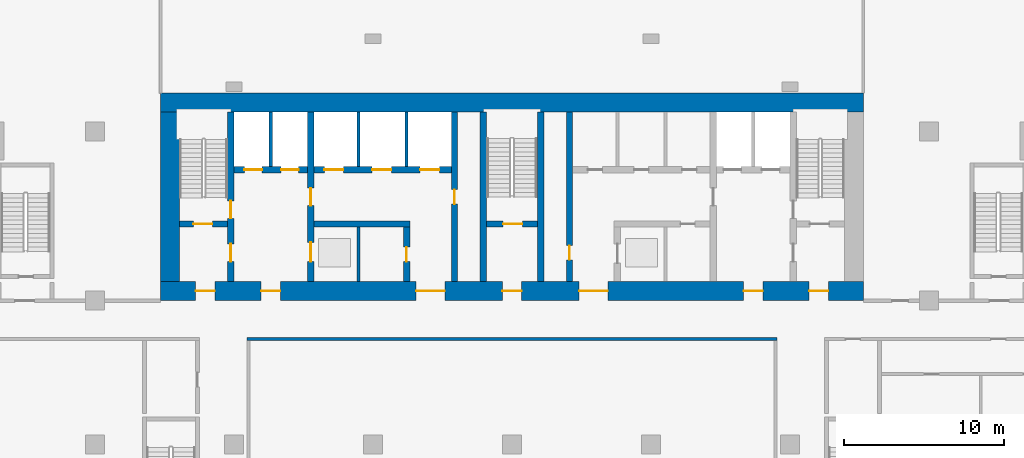
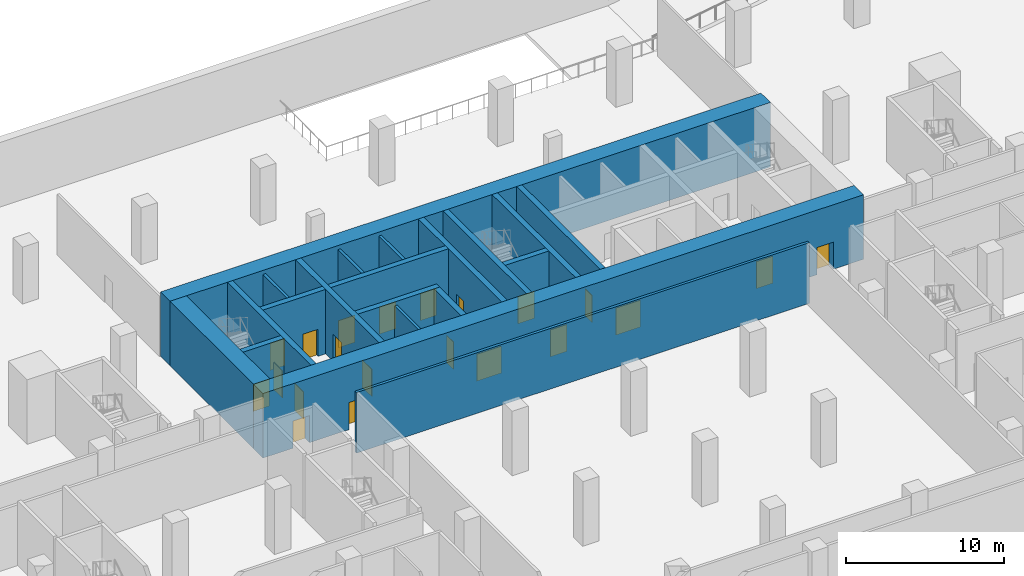
# One storey, part 7 of 16: 21 doors, 19 walls, 21 openings.
"""IFC4 building model written with IfcOpenShell, lengths in metres."""

from ifc_helpers import new_model, si_unit, direction, frame, frame_2d, origin, place, context, subcontext, project, spatial, rectangle, extrude, material, layer, layer_set, type_object, element, fill, save


model = new_model("IFC4")

# Units and contexts
model_context = context("Model", 3, precision=1e-05, world=origin(), true_north=direction((0.0, 1.0)))
body_context = subcontext(model_context, "Body", "Model", "MODEL_VIEW")
ifc_project = project(units=[si_unit("LENGTHUNIT", "METRE"), si_unit("AREAUNIT", "SQUARE_METRE"), si_unit("VOLUMEUNIT", "CUBIC_METRE"), si_unit("PLANEANGLEUNIT", "RADIAN"), si_unit("MASSUNIT", "GRAM", prefix="KILO")], contexts=[model_context])

# Site, building, storey
site_placement = place(None, origin())
site = spatial("IfcSite", under=ifc_project, at=site_placement, CompositionType="ELEMENT")
building_placement = place(site_placement, origin())
building = spatial("IfcBuilding", under=site, at=building_placement, Name="Bicima Exchange Tower", CompositionType="ELEMENT")
storey_placement = place(building_placement, frame((0.0, 0.0, -5.0)))
storey = spatial("IfcBuildingStorey", under=building, at=storey_placement, Name="B1", CompositionType="ELEMENT", Elevation=-5.0)

# Walls
ifc_material_1 = material(Name="Gypsum board partition")
ifc_layer_1 = layer(ifc_material_1, 0.199951171875)
ifc_layer_set_1 = layer_set([ifc_layer_1], Name="Gypsum board partition")
wall_type_1 = type_object("IfcWallType", Name="Fire-rated gypsum partition 200 EI120", PredefinedType="PARTITIONING", material=ifc_layer_set_1)
for number, where, z_axis, x_axis, name in (
    (1, (-15.10009765625, -4.60009765625, 0.0), (0.0, 0.0, 1.0), (0.0, 1.0, 0.0), "partition wall 9"),
    (2, (-9.60009765625, -11.800048828125, 0.0), (0.0, 0.0, 1.0), (0.0, 1.0, 0.0), "partition wall 11"),
    (3, (-9.60009765625, -4.60009765625, 0.0), (0.0, 0.0, 1.0), (0.0, 1.0, 0.0), "partition wall 12"),
    (4, (-6.60009765625, -4.60009765625, 0.0), (0.0, 0.0, 1.0), (0.0, 1.0, 0.0), "partition wall 14"),
):
    element("IfcWall", number, at=place(storey_placement, frame(where, z_axis=z_axis, x_axis=x_axis)), inside=storey, type_object=wall_type_1, Name=name, PredefinedType="PARTITIONING", context=body_context, shape_type="SweptSolid", body=[
        extrude(rectangle(XDim=3.400146484375, YDim=0.199951171875, at=frame_2d((1.7001953125, 0.0))), origin(), (0.0, 0.0, 1.0), 4.699951171875),
    ])
ifc_layer_2 = layer(ifc_material_1, 0.199951171875)
ifc_layer_set_2 = layer_set([ifc_layer_2], Name="Gypsum board partition")
wall_type_2 = type_object("IfcWallType", Name="Fire-rated gypsum partition 200 EI60", PredefinedType="PARTITIONING", material=ifc_layer_set_2)
wall_1_placement = place(storey_placement, frame((-16.60009765625, -15.39990234375, 0.0), z_axis=(0.0, 0.0, 1.0), x_axis=(1.0, 0.0, 0.0)))
element("IfcWall", 5, at=wall_1_placement, inside=storey, type_object=wall_type_2, Name="partition wall 19", PredefinedType="PARTITIONING", context=body_context, shape_type="SweptSolid", body=[
    extrude(rectangle(XDim=33.2001953125, YDim=0.199951171875, at=frame_2d((16.60009765625, 0.0))), origin(), (0.0, 0.0, 1.0), 4.699951171875),
])
ifc_material_2 = material(Name="Concrete C60/75", Category="concrete")
ifc_layer_3 = layer(ifc_material_2, 1.199951171875)
ifc_layer_set_3 = layer_set([ifc_layer_3], Name="Concrete C60/75")
wall_type_3 = type_object("IfcWallType", Name="RC core wall 1200 C60/75", PredefinedType="SHEAR", material=ifc_layer_set_3)
wall_2_placement = place(storey_placement, frame((-22.0, -0.60009765625, 0.0), z_axis=(0.0, 0.0, 1.0), x_axis=(1.0, 0.0, 0.0)))
element("IfcWall", 6, at=wall_2_placement, inside=storey, type_object=wall_type_3, Name="Core wall north", PredefinedType="SHEAR", context=body_context, shape_type="SweptSolid", body=[
    extrude(rectangle(XDim=44.0, YDim=1.199951171875, at=frame_2d((22.0, 0.0))), origin(), (0.0, 0.0, 1.0), 5.0),
])

# Wall, openings, doors
wall_3_placement = place(storey_placement, frame((-22.0, -12.39990234375, 0.0), z_axis=(0.0, 0.0, 1.0), x_axis=(1.0, 0.0, 0.0)))
wall_3 = element("IfcWall", 7, at=wall_3_placement, inside=storey, type_object=wall_type_3, Name="Core wall south", PredefinedType="SHEAR", context=body_context, shape_type="SweptSolid", body=[
    extrude(rectangle(XDim=44.0, YDim=1.199951171875, at=frame_2d((22.0, 0.0))), origin(), (0.0, 0.0, 1.0), 5.0),
])
opening_1_placement = place(wall_3_placement, frame((2.199951171875, 0.0, 0.0)))
opening_1 = element("IfcOpeningElement", 8, at=opening_1_placement, cuts=wall_3, Name="Opening B1-C17", PredefinedType="OPENING", context=body_context, shape_type="SweptSolid", body=[
    extrude(rectangle(XDim=1.199951171875, YDim=2.10009765625, at=frame_2d((0.60009765625, 1.050048828125))), frame((0.0, 0.61181640625, 0.0), z_axis=(0.0, -1.0, 0.0), x_axis=(1.0, 0.0, 0.0)), (0.0, 0.0, 1.0), 1.223876953125),
])
opening_2_placement = place(wall_3_placement, frame((21.39990234375, 0.0, 0.0)))
opening_2 = element("IfcOpeningElement", 9, at=opening_2_placement, cuts=wall_3, Name="Opening B1-C18", PredefinedType="OPENING", context=body_context, shape_type="SweptSolid", body=[
    extrude(rectangle(XDim=1.199951171875, YDim=2.10009765625, at=frame_2d((0.60009765625, 1.050048828125))), frame((0.0, 0.61181640625, 0.0), z_axis=(0.0, -1.0, 0.0), x_axis=(1.0, 0.0, 0.0)), (0.0, 0.0, 1.0), 1.223876953125),
])
opening_3_placement = place(wall_3_placement, frame((40.60009765625, 0.0, 0.0)))
opening_3 = element("IfcOpeningElement", 10, at=opening_3_placement, cuts=wall_3, Name="Opening B1-C19", PredefinedType="OPENING", context=body_context, shape_type="SweptSolid", body=[
    extrude(rectangle(XDim=1.199951171875, YDim=2.10009765625, at=frame_2d((0.60009765625, 1.050048828125))), frame((0.0, 0.61181640625, 0.0), z_axis=(0.0, -1.0, 0.0), x_axis=(1.0, 0.0, 0.0)), (0.0, 0.0, 1.0), 1.223876953125),
])
opening_4_placement = place(wall_3_placement, frame((16.0, 0.0, 0.0)))
opening_4 = element("IfcOpeningElement", 11, at=opening_4_placement, cuts=wall_3, Name="Opening B1-C20", PredefinedType="OPENING", context=body_context, shape_type="SweptSolid", body=[
    extrude(rectangle(XDim=1.800048828125, YDim=2.10009765625, at=frame_2d((0.89990234375, 1.050048828125))), frame((0.0, 0.61181640625, 0.0), z_axis=(0.0, -1.0, 0.0), x_axis=(1.0, 0.0, 0.0)), (0.0, 0.0, 1.0), 1.223876953125),
])
opening_5_placement = place(wall_3_placement, frame((6.300048828125, 0.0, 0.0)))
opening_5 = element("IfcOpeningElement", 12, at=opening_5_placement, cuts=wall_3, Name="Opening B1-C21", PredefinedType="OPENING", context=body_context, shape_type="SweptSolid", body=[
    extrude(rectangle(XDim=1.199951171875, YDim=2.10009765625, at=frame_2d((0.60009765625, 1.050048828125))), frame((0.0, 0.61181640625, 0.0), z_axis=(0.0, -1.0, 0.0), x_axis=(1.0, 0.0, 0.0)), (0.0, 0.0, 1.0), 1.223876953125),
])
opening_6_placement = place(wall_3_placement, frame((26.199951171875, 0.0, 0.0)))
opening_6 = element("IfcOpeningElement", 13, at=opening_6_placement, cuts=wall_3, Name="Opening B1-C22", PredefinedType="OPENING", context=body_context, shape_type="SweptSolid", body=[
    extrude(rectangle(XDim=1.800048828125, YDim=2.10009765625, at=frame_2d((0.89990234375, 1.050048828125))), frame((0.0, 0.61181640625, 0.0), z_axis=(0.0, -1.0, 0.0), x_axis=(1.0, 0.0, 0.0)), (0.0, 0.0, 1.0), 1.223876953125),
])
opening_7_placement = place(wall_3_placement, frame((36.5, 0.0, 0.0)))
opening_7 = element("IfcOpeningElement", 14, at=opening_7_placement, cuts=wall_3, Name="Opening B1-C23", PredefinedType="OPENING", context=body_context, shape_type="SweptSolid", body=[
    extrude(rectangle(XDim=1.199951171875, YDim=2.10009765625, at=frame_2d((0.60009765625, 1.050048828125))), frame((0.0, 0.61181640625, 0.0), z_axis=(0.0, -1.0, 0.0), x_axis=(1.0, 0.0, 0.0)), (0.0, 0.0, 1.0), 1.223876953125),
])
ifc_material_3 = material(Name="Steel fire door leaf", Category="steel")
door_type_1 = type_object("IfcDoorType", Name="Door 1200 swing FD60S", OperationType="SINGLE_SWING_LEFT", PredefinedType="DOOR", material=ifc_material_3)
door_1_placement = place(opening_1_placement, frame((1.199951171875, 0.0, 0.0), z_axis=(0.0, 0.0, 1.0), x_axis=(-1.0, 0.0, 0.0)))
door_1 = element("IfcDoor", 15, at=door_1_placement, inside=storey, type_object=door_type_1, Name="Core door", OperationType="SINGLE_SWING_RIGHT", OverallHeight=2.10009765625, OverallWidth=1.199951171875, PredefinedType="DOOR", context=body_context, shape_type="SweptSolid", body=[
    extrude(rectangle(XDim=1.199951171875, YDim=2.10009765625, at=frame_2d((0.60009765625, 1.050048828125))), frame((0.0, 0.02490234375, 0.0), z_axis=(0.0, -1.0, 0.0), x_axis=(1.0, 0.0, 0.0)), (0.0, 0.0, 1.0), 0.050048828125),
])
fill(opening_1, door_1)
door_2_placement = place(opening_2_placement, frame((1.199951171875, 0.0, 0.0), z_axis=(0.0, 0.0, 1.0), x_axis=(-1.0, 0.0, 0.0)))
door_2 = element("IfcDoor", 16, at=door_2_placement, inside=storey, type_object=door_type_1, Name="Core door", OperationType="SINGLE_SWING_RIGHT", OverallHeight=2.10009765625, OverallWidth=1.199951171875, PredefinedType="DOOR", context=body_context, shape_type="SweptSolid", body=[
    extrude(rectangle(XDim=1.199951171875, YDim=2.10009765625, at=frame_2d((0.60009765625, 1.050048828125))), frame((0.0, 0.02490234375, 0.0), z_axis=(0.0, -1.0, 0.0), x_axis=(1.0, 0.0, 0.0)), (0.0, 0.0, 1.0), 0.050048828125),
])
fill(opening_2, door_2)
door_3_placement = place(opening_3_placement, frame((1.199951171875, 0.0, 0.0), z_axis=(0.0, 0.0, 1.0), x_axis=(-1.0, 0.0, 0.0)))
door_3 = element("IfcDoor", 17, at=door_3_placement, inside=storey, type_object=door_type_1, Name="Core door", OperationType="SINGLE_SWING_RIGHT", OverallHeight=2.10009765625, OverallWidth=1.199951171875, PredefinedType="DOOR", context=body_context, shape_type="SweptSolid", body=[
    extrude(rectangle(XDim=1.199951171875, YDim=2.10009765625, at=frame_2d((0.60009765625, 1.050048828125))), frame((0.0, 0.02490234375, 0.0), z_axis=(0.0, -1.0, 0.0), x_axis=(1.0, 0.0, 0.0)), (0.0, 0.0, 1.0), 0.050048828125),
])
fill(opening_3, door_3)
door_4_placement = place(opening_5_placement, frame((1.199951171875, 0.0, 0.0), z_axis=(0.0, 0.0, 1.0), x_axis=(-1.0, 0.0, 0.0)))
door_4 = element("IfcDoor", 18, at=door_4_placement, inside=storey, type_object=door_type_1, Name="Core door", OperationType="SINGLE_SWING_RIGHT", OverallHeight=2.10009765625, OverallWidth=1.199951171875, PredefinedType="DOOR", context=body_context, shape_type="SweptSolid", body=[
    extrude(rectangle(XDim=1.199951171875, YDim=2.10009765625, at=frame_2d((0.60009765625, 1.050048828125))), frame((0.0, 0.02490234375, 0.0), z_axis=(0.0, -1.0, 0.0), x_axis=(1.0, 0.0, 0.0)), (0.0, 0.0, 1.0), 0.050048828125),
])
fill(opening_5, door_4)
door_5_placement = place(opening_7_placement, frame((1.199951171875, 0.0, 0.0), z_axis=(0.0, 0.0, 1.0), x_axis=(-1.0, 0.0, 0.0)))
door_5 = element("IfcDoor", 19, at=door_5_placement, inside=storey, type_object=door_type_1, Name="Core door", OperationType="SINGLE_SWING_RIGHT", OverallHeight=2.10009765625, OverallWidth=1.199951171875, PredefinedType="DOOR", context=body_context, shape_type="SweptSolid", body=[
    extrude(rectangle(XDim=1.199951171875, YDim=2.10009765625, at=frame_2d((0.60009765625, 1.050048828125))), frame((0.0, 0.02490234375, 0.0), z_axis=(0.0, -1.0, 0.0), x_axis=(1.0, 0.0, 0.0)), (0.0, 0.0, 1.0), 0.050048828125),
])
fill(opening_7, door_5)
door_type_2 = type_object("IfcDoorType", Name="Door 1800 double swing FD30S", OperationType="DOUBLE_DOOR_SINGLE_SWING", PredefinedType="DOOR", material=ifc_material_3)
door_6_placement = place(opening_4_placement, origin())
door_6 = element("IfcDoor", 20, at=door_6_placement, inside=storey, type_object=door_type_2, Name="Core door", OperationType="SINGLE_SWING_LEFT", OverallHeight=2.10009765625, OverallWidth=1.800048828125, PredefinedType="DOOR", context=body_context, shape_type="SweptSolid", body=[
    extrude(rectangle(XDim=1.800048828125, YDim=2.10009765625, at=frame_2d((0.89990234375, 1.050048828125))), frame((0.0, 0.02490234375, 0.0), z_axis=(0.0, -1.0, 0.0), x_axis=(1.0, 0.0, 0.0)), (0.0, 0.0, 1.0), 0.050048828125),
])
fill(opening_4, door_6)
door_7_placement = place(opening_6_placement, origin())
door_7 = element("IfcDoor", 21, at=door_7_placement, inside=storey, type_object=door_type_2, Name="Core door", OperationType="SINGLE_SWING_LEFT", OverallHeight=2.10009765625, OverallWidth=1.800048828125, PredefinedType="DOOR", context=body_context, shape_type="SweptSolid", body=[
    extrude(rectangle(XDim=1.800048828125, YDim=2.10009765625, at=frame_2d((0.89990234375, 1.050048828125))), frame((0.0, 0.02490234375, 0.0), z_axis=(0.0, -1.0, 0.0), x_axis=(1.0, 0.0, 0.0)), (0.0, 0.0, 1.0), 0.050048828125),
])
fill(opening_6, door_7)

# Wall
wall_4_placement = place(storey_placement, frame((-21.39990234375, -11.800048828125, 0.0), z_axis=(0.0, 0.0, 1.0), x_axis=(0.0, 1.0, 0.0)))
element("IfcWall", 22, at=wall_4_placement, inside=storey, type_object=wall_type_3, Name="Core wall west", PredefinedType="SHEAR", context=body_context, shape_type="SweptSolid", body=[
    extrude(rectangle(XDim=10.60009765625, YDim=1.199951171875, at=frame_2d((5.300048828125, 0.0))), origin(), (0.0, 0.0, 1.0), 5.0),
])

# Wall, opening, door
ifc_material_4 = material(Name="Concrete C50/60", Category="concrete")
ifc_layer_4 = layer(ifc_material_4, 0.39990234375)
ifc_layer_set_4 = layer_set([ifc_layer_4], Name="Concrete C50/60")
wall_type_4 = type_object("IfcWallType", Name="RC core wall 400 C50/60", PredefinedType="SHEAR", material=ifc_layer_set_4)
wall_5_placement = place(storey_placement, frame((-20.800048828125, -8.199951171875, 0.0), z_axis=(0.0, 0.0, 1.0), x_axis=(1.0, 0.0, 0.0)))
wall_5 = element("IfcWall", 23, at=wall_5_placement, inside=storey, type_object=wall_type_4, Name="stair wall 1", PredefinedType="SHEAR", context=body_context, shape_type="SweptSolid", body=[
    extrude(rectangle(XDim=3.0, YDim=0.39990234375, at=frame_2d((1.5, 0.0))), origin(), (0.0, 0.0, 1.0), 5.0),
])
opening_8_placement = place(wall_5_placement, frame((0.85009765625, 0.0, 0.0)))
opening_8 = element("IfcOpeningElement", 24, at=opening_8_placement, cuts=wall_5, Name="Opening B1-C01", PredefinedType="OPENING", context=body_context, shape_type="SweptSolid", body=[
    extrude(rectangle(XDim=1.199951171875, YDim=2.10009765625, at=frame_2d((0.60009765625, 1.050048828125))), frame((0.0, 0.2119140625, 0.0), z_axis=(0.0, -1.0, 0.0), x_axis=(1.0, 0.0, 0.0)), (0.0, 0.0, 1.0), 0.423828125),
])
door_8_placement = place(opening_8_placement, origin())
door_8 = element("IfcDoor", 25, at=door_8_placement, inside=storey, type_object=door_type_1, Name="Core door", OperationType="SINGLE_SWING_LEFT", OverallHeight=2.10009765625, OverallWidth=1.199951171875, PredefinedType="DOOR", context=body_context, shape_type="SweptSolid", body=[
    extrude(rectangle(XDim=1.199951171875, YDim=2.10009765625, at=frame_2d((0.60009765625, 1.050048828125))), frame((0.0, 0.02490234375, 0.0), z_axis=(0.0, -1.0, 0.0), x_axis=(1.0, 0.0, 0.0)), (0.0, 0.0, 1.0), 0.050048828125),
])
fill(opening_8, door_8)

wall_6_placement = place(storey_placement, frame((-1.60009765625, -8.199951171875, 0.0), z_axis=(0.0, 0.0, 1.0), x_axis=(1.0, 0.0, 0.0)))
wall_6 = element("IfcWall", 26, at=wall_6_placement, inside=storey, type_object=wall_type_4, Name="stair wall 3", PredefinedType="SHEAR", context=body_context, shape_type="SweptSolid", body=[
    extrude(rectangle(XDim=3.2001953125, YDim=0.39990234375, at=frame_2d((1.60009765625, 0.0))), origin(), (0.0, 0.0, 1.0), 5.0),
])
opening_9_placement = place(wall_6_placement, frame((1.050048828125, 0.0, 0.0)))
opening_9 = element("IfcOpeningElement", 27, at=opening_9_placement, cuts=wall_6, Name="Opening B1-C03", PredefinedType="OPENING", context=body_context, shape_type="SweptSolid", body=[
    extrude(rectangle(XDim=1.199951171875, YDim=2.10009765625, at=frame_2d((0.60009765625, 1.050048828125))), frame((0.0, 0.2119140625, 0.0), z_axis=(0.0, -1.0, 0.0), x_axis=(1.0, 0.0, 0.0)), (0.0, 0.0, 1.0), 0.423828125),
])
door_9_placement = place(opening_9_placement, origin())
door_9 = element("IfcDoor", 28, at=door_9_placement, inside=storey, type_object=door_type_1, Name="Core door", OperationType="SINGLE_SWING_LEFT", OverallHeight=2.10009765625, OverallWidth=1.199951171875, PredefinedType="DOOR", context=body_context, shape_type="SweptSolid", body=[
    extrude(rectangle(XDim=1.199951171875, YDim=2.10009765625, at=frame_2d((0.60009765625, 1.050048828125))), frame((0.0, 0.02490234375, 0.0), z_axis=(0.0, -1.0, 0.0), x_axis=(1.0, 0.0, 0.0)), (0.0, 0.0, 1.0), 0.050048828125),
])
fill(opening_9, door_9)

# Wall, openings, doors
wall_7_placement = place(storey_placement, frame((-17.60009765625, -11.800048828125, 0.0), z_axis=(0.0, 0.0, 1.0), x_axis=(0.0, 1.0, 0.0)))
wall_7 = element("IfcWall", 29, at=wall_7_placement, inside=storey, type_object=wall_type_4, Name="stair wall 8", PredefinedType="SHEAR", context=body_context, shape_type="SweptSolid", body=[
    extrude(rectangle(XDim=10.60009765625, YDim=0.39990234375, at=frame_2d((5.300048828125, 0.0))), origin(), (0.0, 0.0, 1.0), 5.0),
])
opening_10_placement = place(wall_7_placement, frame((1.25, 0.0, 0.0)))
opening_10 = element("IfcOpeningElement", 30, at=opening_10_placement, cuts=wall_7, Name="Opening B1-C02", PredefinedType="OPENING", context=body_context, shape_type="SweptSolid", body=[
    extrude(rectangle(XDim=1.10009765625, YDim=2.10009765625, at=frame_2d((0.550048828125, 1.050048828125))), frame((0.0, 0.2119140625, 0.0), z_axis=(0.0, -1.0, 0.0), x_axis=(1.0, 0.0, 0.0)), (0.0, 0.0, 1.0), 0.423828125),
])
opening_11_placement = place(wall_7_placement, frame((3.949951171875, 0.0, 0.0)))
opening_11 = element("IfcOpeningElement", 31, at=opening_11_placement, cuts=wall_7, Name="Opening B1-C06", PredefinedType="OPENING", context=body_context, shape_type="SweptSolid", body=[
    extrude(rectangle(XDim=1.10009765625, YDim=2.10009765625, at=frame_2d((0.550048828125, 1.050048828125))), frame((0.0, 0.2119140625, 0.0), z_axis=(0.0, -1.0, 0.0), x_axis=(1.0, 0.0, 0.0)), (0.0, 0.0, 1.0), 0.423828125),
])
door_type_3 = type_object("IfcDoorType", Name="Door 1100 swing FD60S", OperationType="SINGLE_SWING_LEFT", PredefinedType="DOOR", material=ifc_material_3)
door_10_placement = place(opening_10_placement, frame((1.10009765625, 0.0, 0.0), z_axis=(0.0, 0.0, 1.0), x_axis=(-1.0, 0.0, 0.0)))
door_10 = element("IfcDoor", 32, at=door_10_placement, inside=storey, type_object=door_type_3, Name="Core door", OperationType="SINGLE_SWING_LEFT", OverallHeight=2.10009765625, OverallWidth=1.10009765625, PredefinedType="DOOR", context=body_context, shape_type="SweptSolid", body=[
    extrude(rectangle(XDim=1.10009765625, YDim=2.10009765625, at=frame_2d((0.550048828125, 1.050048828125))), frame((0.0, 0.02490234375, 0.0), z_axis=(0.0, -1.0, 0.0), x_axis=(1.0, 0.0, 0.0)), (0.0, 0.0, 1.0), 0.050048828125),
])
fill(opening_10, door_10)
door_11_placement = place(opening_11_placement, frame((1.10009765625, 0.0, 0.0), z_axis=(0.0, 0.0, 1.0), x_axis=(-1.0, 0.0, 0.0)))
door_11 = element("IfcDoor", 33, at=door_11_placement, inside=storey, type_object=door_type_3, Name="Core door", OperationType="SINGLE_SWING_LEFT", OverallHeight=2.10009765625, OverallWidth=1.10009765625, PredefinedType="DOOR", context=body_context, shape_type="SweptSolid", body=[
    extrude(rectangle(XDim=1.10009765625, YDim=2.10009765625, at=frame_2d((0.550048828125, 1.050048828125))), frame((0.0, 0.02490234375, 0.0), z_axis=(0.0, -1.0, 0.0), x_axis=(1.0, 0.0, 0.0)), (0.0, 0.0, 1.0), 0.050048828125),
])
fill(opening_11, door_11)

# Walls
for number, where, z_axis, x_axis, name in (
    (34, (-1.800048828125, -11.800048828125, 0.0), (0.0, 0.0, 1.0), (0.0, 1.0, 0.0), "stair wall 16"),
    (35, (1.800048828125, -11.800048828125, 0.0), (0.0, 0.0, 1.0), (0.0, 1.0, 0.0), "stair wall 17"),
):
    element("IfcWall", number, at=place(storey_placement, frame(where, z_axis=z_axis, x_axis=x_axis)), inside=storey, type_object=wall_type_4, Name=name, PredefinedType="SHEAR", context=body_context, shape_type="SweptSolid", body=[
        extrude(rectangle(XDim=10.60009765625, YDim=0.39990234375, at=frame_2d((5.300048828125, 0.0))), origin(), (0.0, 0.0, 1.0), 5.0),
    ])
ifc_layer_5 = layer(ifc_material_2, 0.39990234375)
ifc_layer_set_5 = layer_set([ifc_layer_5], Name="Concrete C60/75")
wall_type_5 = type_object("IfcWallType", Name="RC core wall 400 C60/75", PredefinedType="SHEAR", material=ifc_layer_set_5)
wall_8_placement = place(storey_placement, frame((-12.39990234375, -8.199951171875, 0.0), z_axis=(0.0, 0.0, 1.0), x_axis=(1.0, 0.0, 0.0)))
element("IfcWall", 36, at=wall_8_placement, inside=storey, type_object=wall_type_5, Name="shear wall 2", PredefinedType="SHEAR", context=body_context, shape_type="SweptSolid", body=[
    extrude(rectangle(XDim=6.0, YDim=0.39990234375, at=frame_2d((3.0, 0.0))), origin(), (0.0, 0.0, 1.0), 5.0),
])

# Wall, openings, doors
wall_9_placement = place(storey_placement, frame((-17.39990234375, -4.800048828125, 0.0), z_axis=(0.0, 0.0, 1.0), x_axis=(1.0, 0.0, 0.0)))
wall_9 = element("IfcWall", 37, at=wall_9_placement, inside=storey, type_object=wall_type_5, Name="shear wall 6", PredefinedType="SHEAR", context=body_context, shape_type="SweptSolid", body=[
    extrude(rectangle(XDim=13.599853515625, YDim=0.39990234375, at=frame_2d((6.7998046875, 0.0))), origin(), (0.0, 0.0, 1.0), 5.0),
])
opening_12_placement = place(wall_9_placement, frame((0.64990234375, 0.0, 0.0)))
opening_12 = element("IfcOpeningElement", 38, at=opening_12_placement, cuts=wall_9, Name="Opening LD-FF1-B1", PredefinedType="OPENING", context=body_context, shape_type="SweptSolid", body=[
    extrude(rectangle(XDim=1.10009765625, YDim=2.10009765625, at=frame_2d((0.550048828125, 1.050048828125))), frame((0.0, 0.2119140625, 0.0), z_axis=(0.0, -1.0, 0.0), x_axis=(1.0, 0.0, 0.0)), (0.0, 0.0, 1.0), 0.423828125),
])
opening_13_placement = place(wall_9_placement, frame((2.949951171875, 0.0, 0.0)))
opening_13 = element("IfcOpeningElement", 39, at=opening_13_placement, cuts=wall_9, Name="Opening LD-FF3-B1", PredefinedType="OPENING", context=body_context, shape_type="SweptSolid", body=[
    extrude(rectangle(XDim=1.10009765625, YDim=2.10009765625, at=frame_2d((0.550048828125, 1.050048828125))), frame((0.0, 0.2119140625, 0.0), z_axis=(0.0, -1.0, 0.0), x_axis=(1.0, 0.0, 0.0)), (0.0, 0.0, 1.0), 0.423828125),
])
opening_14_placement = place(wall_9_placement, frame((5.64990234375, 0.0, 0.0)))
opening_14 = element("IfcOpeningElement", 40, at=opening_14_placement, cuts=wall_9, Name="Opening LD-LB1-B1", PredefinedType="OPENING", context=body_context, shape_type="SweptSolid", body=[
    extrude(rectangle(XDim=1.199951171875, YDim=2.10009765625, at=frame_2d((0.60009765625, 1.050048828125))), frame((0.0, 0.2119140625, 0.0), z_axis=(0.0, -1.0, 0.0), x_axis=(1.0, 0.0, 0.0)), (0.0, 0.0, 1.0), 0.423828125),
])
opening_15_placement = place(wall_9_placement, frame((8.64990234375, 0.0, 0.0)))
opening_15 = element("IfcOpeningElement", 41, at=opening_15_placement, cuts=wall_9, Name="Opening LD-LB2-B1", PredefinedType="OPENING", context=body_context, shape_type="SweptSolid", body=[
    extrude(rectangle(XDim=1.199951171875, YDim=2.10009765625, at=frame_2d((0.60009765625, 1.050048828125))), frame((0.0, 0.2119140625, 0.0), z_axis=(0.0, -1.0, 0.0), x_axis=(1.0, 0.0, 0.0)), (0.0, 0.0, 1.0), 0.423828125),
])
opening_16_placement = place(wall_9_placement, frame((11.64990234375, 0.0, 0.0)))
opening_16 = element("IfcOpeningElement", 42, at=opening_16_placement, cuts=wall_9, Name="Opening LD-LB3-B1", PredefinedType="OPENING", context=body_context, shape_type="SweptSolid", body=[
    extrude(rectangle(XDim=1.199951171875, YDim=2.10009765625, at=frame_2d((0.60009765625, 1.050048828125))), frame((0.0, 0.2119140625, 0.0), z_axis=(0.0, -1.0, 0.0), x_axis=(1.0, 0.0, 0.0)), (0.0, 0.0, 1.0), 0.423828125),
])
ifc_material_5 = material(Name="Stainless steel", Category="steel")
door_type_4 = type_object("IfcDoorType", Name="Lift landing door 1100 sliding", OperationType="DOUBLE_DOOR_SLIDING", PredefinedType="DOOR", material=ifc_material_5)
door_12_placement = place(opening_12_placement, origin())
door_12 = element("IfcDoor", 43, at=door_12_placement, inside=storey, type_object=door_type_4, Name="Lift landing door FF1", OperationType="DOUBLE_DOOR_SLIDING", OverallHeight=2.10009765625, OverallWidth=1.10009765625, PredefinedType="DOOR", context=body_context, shape_type="SweptSolid", body=[
    extrude(rectangle(XDim=1.10009765625, YDim=2.10009765625, at=frame_2d((0.550048828125, 1.050048828125))), frame((0.0, 0.02490234375, 0.0), z_axis=(0.0, -1.0, 0.0), x_axis=(1.0, 0.0, 0.0)), (0.0, 0.0, 1.0), 0.050048828125),
])
fill(opening_12, door_12)
door_13_placement = place(opening_13_placement, origin())
door_13 = element("IfcDoor", 44, at=door_13_placement, inside=storey, type_object=door_type_4, Name="Lift landing door FF3", OperationType="DOUBLE_DOOR_SLIDING", OverallHeight=2.10009765625, OverallWidth=1.10009765625, PredefinedType="DOOR", context=body_context, shape_type="SweptSolid", body=[
    extrude(rectangle(XDim=1.10009765625, YDim=2.10009765625, at=frame_2d((0.550048828125, 1.050048828125))), frame((0.0, 0.02490234375, 0.0), z_axis=(0.0, -1.0, 0.0), x_axis=(1.0, 0.0, 0.0)), (0.0, 0.0, 1.0), 0.050048828125),
])
fill(opening_13, door_13)
door_type_5 = type_object("IfcDoorType", Name="Lift landing door 1200 sliding", OperationType="DOUBLE_DOOR_SLIDING", PredefinedType="DOOR", material=ifc_material_5)
door_14_placement = place(opening_14_placement, origin())
door_14 = element("IfcDoor", 45, at=door_14_placement, inside=storey, type_object=door_type_5, Name="Lift landing door LB1", OperationType="DOUBLE_DOOR_SLIDING", OverallHeight=2.10009765625, OverallWidth=1.199951171875, PredefinedType="DOOR", context=body_context, shape_type="SweptSolid", body=[
    extrude(rectangle(XDim=1.199951171875, YDim=2.10009765625, at=frame_2d((0.60009765625, 1.050048828125))), frame((0.0, 0.02490234375, 0.0), z_axis=(0.0, -1.0, 0.0), x_axis=(1.0, 0.0, 0.0)), (0.0, 0.0, 1.0), 0.050048828125),
])
fill(opening_14, door_14)
door_15_placement = place(opening_15_placement, origin())
door_15 = element("IfcDoor", 46, at=door_15_placement, inside=storey, type_object=door_type_5, Name="Lift landing door LB2", OperationType="DOUBLE_DOOR_SLIDING", OverallHeight=2.10009765625, OverallWidth=1.199951171875, PredefinedType="DOOR", context=body_context, shape_type="SweptSolid", body=[
    extrude(rectangle(XDim=1.199951171875, YDim=2.10009765625, at=frame_2d((0.60009765625, 1.050048828125))), frame((0.0, 0.02490234375, 0.0), z_axis=(0.0, -1.0, 0.0), x_axis=(1.0, 0.0, 0.0)), (0.0, 0.0, 1.0), 0.050048828125),
])
fill(opening_15, door_15)
door_16_placement = place(opening_16_placement, origin())
door_16 = element("IfcDoor", 47, at=door_16_placement, inside=storey, type_object=door_type_5, Name="Lift landing door LB3", OperationType="DOUBLE_DOOR_SLIDING", OverallHeight=2.10009765625, OverallWidth=1.199951171875, PredefinedType="DOOR", context=body_context, shape_type="SweptSolid", body=[
    extrude(rectangle(XDim=1.199951171875, YDim=2.10009765625, at=frame_2d((0.60009765625, 1.050048828125))), frame((0.0, 0.02490234375, 0.0), z_axis=(0.0, -1.0, 0.0), x_axis=(1.0, 0.0, 0.0)), (0.0, 0.0, 1.0), 0.050048828125),
])
fill(opening_16, door_16)

wall_10_placement = place(storey_placement, frame((-12.60009765625, -11.800048828125, 0.0), z_axis=(0.0, 0.0, 1.0), x_axis=(0.0, 1.0, 0.0)))
wall_10 = element("IfcWall", 48, at=wall_10_placement, inside=storey, type_object=wall_type_5, Name="shear wall 10", PredefinedType="SHEAR", context=body_context, shape_type="SweptSolid", body=[
    extrude(rectangle(XDim=10.60009765625, YDim=0.39990234375, at=frame_2d((5.300048828125, 0.0))), origin(), (0.0, 0.0, 1.0), 5.0),
])
opening_17_placement = place(wall_10_placement, frame((1.25, 0.0, 0.0)))
opening_17 = element("IfcOpeningElement", 49, at=opening_17_placement, cuts=wall_10, Name="Opening LD-SH1-B1", PredefinedType="OPENING", context=body_context, shape_type="SweptSolid", body=[
    extrude(rectangle(XDim=1.199951171875, YDim=2.10009765625, at=frame_2d((0.60009765625, 1.050048828125))), frame((0.0, 0.2119140625, 0.0), z_axis=(0.0, -1.0, 0.0), x_axis=(1.0, 0.0, 0.0)), (0.0, 0.0, 1.0), 0.423828125),
])
opening_18_placement = place(wall_10_placement, frame((4.75, 0.0, 0.0)))
opening_18 = element("IfcOpeningElement", 50, at=opening_18_placement, cuts=wall_10, Name="Opening B1-C07", PredefinedType="OPENING", context=body_context, shape_type="SweptSolid", body=[
    extrude(rectangle(XDim=1.10009765625, YDim=2.10009765625, at=frame_2d((0.550048828125, 1.050048828125))), frame((0.0, 0.2119140625, 0.0), z_axis=(0.0, -1.0, 0.0), x_axis=(1.0, 0.0, 0.0)), (0.0, 0.0, 1.0), 0.423828125),
])
door_17_placement = place(opening_18_placement, origin())
door_17 = element("IfcDoor", 51, at=door_17_placement, inside=storey, type_object=door_type_3, Name="Core door", OperationType="SINGLE_SWING_LEFT", OverallHeight=2.10009765625, OverallWidth=1.10009765625, PredefinedType="DOOR", context=body_context, shape_type="SweptSolid", body=[
    extrude(rectangle(XDim=1.10009765625, YDim=2.10009765625, at=frame_2d((0.550048828125, 1.050048828125))), frame((0.0, 0.02490234375, 0.0), z_axis=(0.0, -1.0, 0.0), x_axis=(1.0, 0.0, 0.0)), (0.0, 0.0, 1.0), 0.050048828125),
])
fill(opening_18, door_17)
door_18_placement = place(opening_17_placement, origin())
door_18 = element("IfcDoor", 52, at=door_18_placement, inside=storey, type_object=door_type_5, Name="Lift landing door SH1", OperationType="DOUBLE_DOOR_SLIDING", OverallHeight=2.10009765625, OverallWidth=1.199951171875, PredefinedType="DOOR", context=body_context, shape_type="SweptSolid", body=[
    extrude(rectangle(XDim=1.199951171875, YDim=2.10009765625, at=frame_2d((0.60009765625, 1.050048828125))), frame((0.0, 0.02490234375, 0.0), z_axis=(0.0, -1.0, 0.0), x_axis=(1.0, 0.0, 0.0)), (0.0, 0.0, 1.0), 0.050048828125),
])
fill(opening_17, door_18)

# Wall, opening, door
wall_11_placement = place(storey_placement, frame((-6.60009765625, -11.800048828125, 0.0), z_axis=(0.0, 0.0, 1.0), x_axis=(0.0, 1.0, 0.0)))
wall_11 = element("IfcWall", 53, at=wall_11_placement, inside=storey, type_object=wall_type_5, Name="shear wall 13", PredefinedType="SHEAR", context=body_context, shape_type="SweptSolid", body=[
    extrude(rectangle(XDim=3.400146484375, YDim=0.39990234375, at=frame_2d((1.7001953125, 0.0))), origin(), (0.0, 0.0, 1.0), 5.0),
])
opening_19_placement = place(wall_11_placement, frame((1.25, 0.0, 0.0)))
opening_19 = element("IfcOpeningElement", 54, at=opening_19_placement, cuts=wall_11, Name="Opening B1-C15", PredefinedType="OPENING", context=body_context, shape_type="SweptSolid", body=[
    extrude(rectangle(XDim=0.89990234375, YDim=2.10009765625, at=frame_2d((0.449951171875, 1.050048828125))), frame((0.0, 0.2119140625, 0.0), z_axis=(0.0, -1.0, 0.0), x_axis=(1.0, 0.0, 0.0)), (0.0, 0.0, 1.0), 0.423828125),
])
door_type_6 = type_object("IfcDoorType", Name="Door 900 swing FD30S", OperationType="SINGLE_SWING_LEFT", PredefinedType="DOOR", material=ifc_material_3)
door_19_placement = place(opening_19_placement, origin())
door_19 = element("IfcDoor", 55, at=door_19_placement, inside=storey, type_object=door_type_6, Name="Core door", OperationType="SINGLE_SWING_LEFT", OverallHeight=2.10009765625, OverallWidth=0.89990234375, PredefinedType="DOOR", context=body_context, shape_type="SweptSolid", body=[
    extrude(rectangle(XDim=0.89990234375, YDim=2.10009765625, at=frame_2d((0.449951171875, 1.050048828125))), frame((0.0, 0.02490234375, 0.0), z_axis=(0.0, -1.0, 0.0), x_axis=(1.0, 0.0, 0.0)), (0.0, 0.0, 1.0), 0.050048828125),
])
fill(opening_19, door_19)

wall_12_placement = place(storey_placement, frame((-3.60009765625, -11.800048828125, 0.0), z_axis=(0.0, 0.0, 1.0), x_axis=(0.0, 1.0, 0.0)))
wall_12 = element("IfcWall", 56, at=wall_12_placement, inside=storey, type_object=wall_type_5, Name="shear wall 15", PredefinedType="SHEAR", context=body_context, shape_type="SweptSolid", body=[
    extrude(rectangle(XDim=10.60009765625, YDim=0.39990234375, at=frame_2d((5.300048828125, 0.0))), origin(), (0.0, 0.0, 1.0), 5.0),
])
opening_20_placement = place(wall_12_placement, frame((4.85009765625, 0.0, 0.0)))
opening_20 = element("IfcOpeningElement", 57, at=opening_20_placement, cuts=wall_12, Name="Opening B1-C10", PredefinedType="OPENING", context=body_context, shape_type="SweptSolid", body=[
    extrude(rectangle(XDim=0.89990234375, YDim=2.10009765625, at=frame_2d((0.449951171875, 1.050048828125))), frame((0.0, 0.2119140625, 0.0), z_axis=(0.0, -1.0, 0.0), x_axis=(1.0, 0.0, 0.0)), (0.0, 0.0, 1.0), 0.423828125),
])
door_20_placement = place(opening_20_placement, frame((0.89990234375, 0.0, 0.0), z_axis=(0.0, 0.0, 1.0), x_axis=(-1.0, 0.0, 0.0)))
door_20 = element("IfcDoor", 58, at=door_20_placement, inside=storey, type_object=door_type_6, Name="Core door", OperationType="SINGLE_SWING_LEFT", OverallHeight=2.10009765625, OverallWidth=0.89990234375, PredefinedType="DOOR", context=body_context, shape_type="SweptSolid", body=[
    extrude(rectangle(XDim=0.89990234375, YDim=2.10009765625, at=frame_2d((0.449951171875, 1.050048828125))), frame((0.0, 0.02490234375, 0.0), z_axis=(0.0, -1.0, 0.0), x_axis=(1.0, 0.0, 0.0)), (0.0, 0.0, 1.0), 0.050048828125),
])
fill(opening_20, door_20)

wall_13_placement = place(storey_placement, frame((3.60009765625, -11.800048828125, 0.0), z_axis=(0.0, 0.0, 1.0), x_axis=(0.0, 1.0, 0.0)))
wall_13 = element("IfcWall", 59, at=wall_13_placement, inside=storey, type_object=wall_type_5, Name="shear wall 18", PredefinedType="SHEAR", context=body_context, shape_type="SweptSolid", body=[
    extrude(rectangle(XDim=10.60009765625, YDim=0.39990234375, at=frame_2d((5.300048828125, 0.0))), origin(), (0.0, 0.0, 1.0), 5.0),
])
opening_21_placement = place(wall_13_placement, frame((1.35009765625, 0.0, 0.0)))
opening_21 = element("IfcOpeningElement", 60, at=opening_21_placement, cuts=wall_13, Name="Opening B1-C11", PredefinedType="OPENING", context=body_context, shape_type="SweptSolid", body=[
    extrude(rectangle(XDim=0.89990234375, YDim=2.10009765625, at=frame_2d((0.449951171875, 1.050048828125))), frame((0.0, 0.2119140625, 0.0), z_axis=(0.0, -1.0, 0.0), x_axis=(1.0, 0.0, 0.0)), (0.0, 0.0, 1.0), 0.423828125),
])
door_21_placement = place(opening_21_placement, origin())
door_21 = element("IfcDoor", 61, at=door_21_placement, inside=storey, type_object=door_type_6, Name="Core door", OperationType="SINGLE_SWING_LEFT", OverallHeight=2.10009765625, OverallWidth=0.89990234375, PredefinedType="DOOR", context=body_context, shape_type="SweptSolid", body=[
    extrude(rectangle(XDim=0.89990234375, YDim=2.10009765625, at=frame_2d((0.449951171875, 1.050048828125))), frame((0.0, 0.02490234375, 0.0), z_axis=(0.0, -1.0, 0.0), x_axis=(1.0, 0.0, 0.0)), (0.0, 0.0, 1.0), 0.050048828125),
])
fill(opening_21, door_21)

save(model, "model.ifc")
